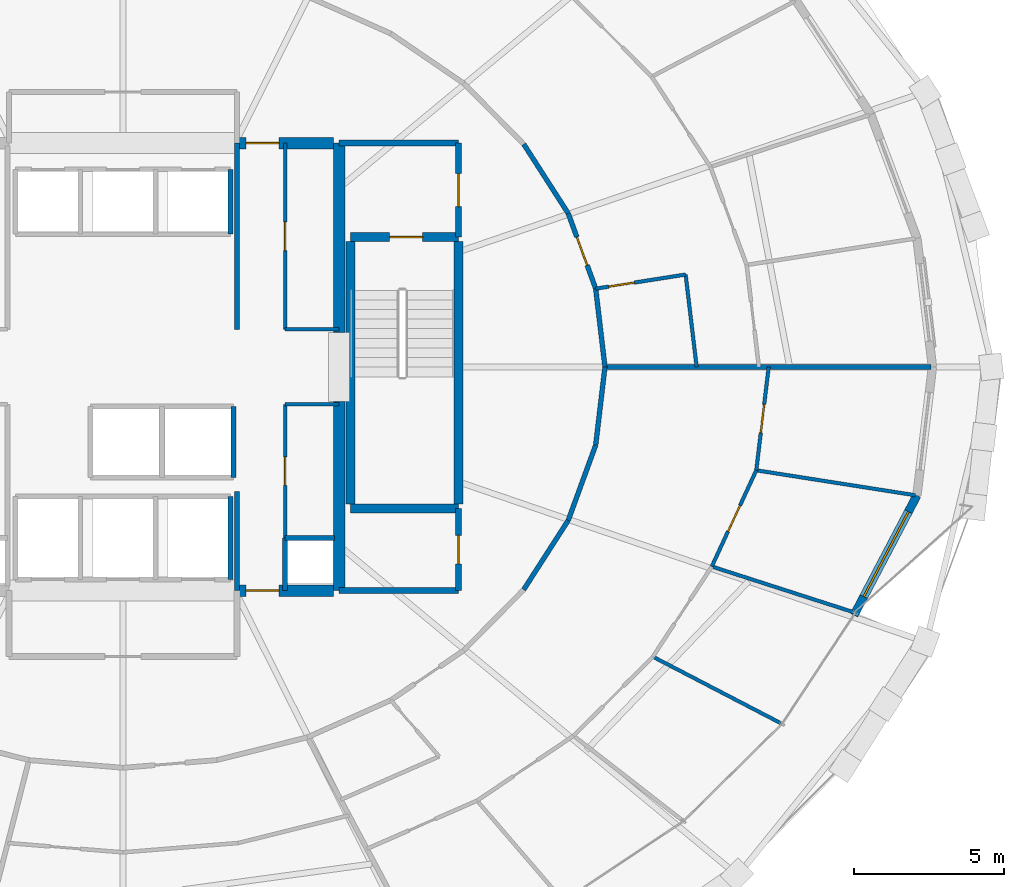
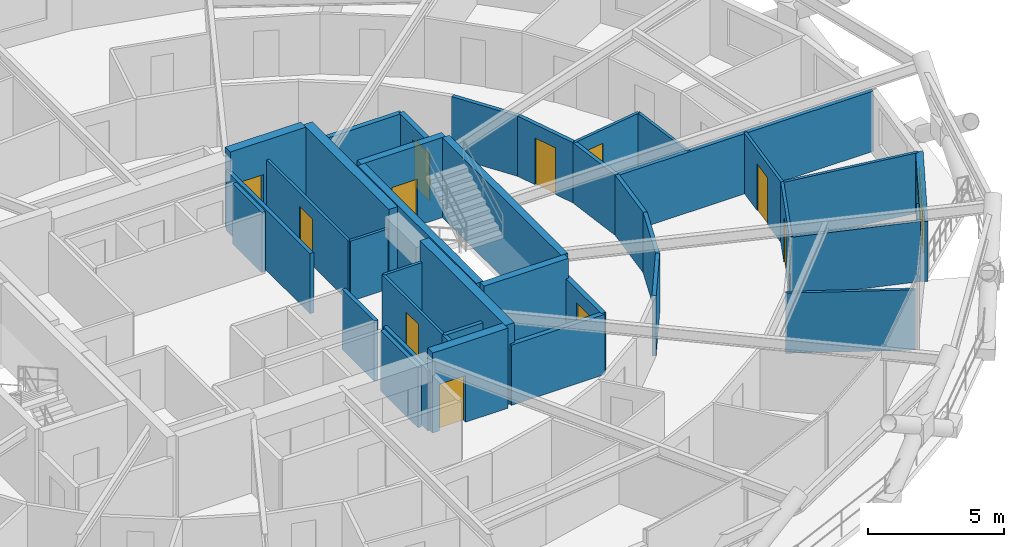
# One storey, part 15 of 19: 38 walls, 11 doors, 1 window, 12 openings.
"""IFC4 building model written with IfcOpenShell, lengths in metres."""

from ifc_helpers import new_model, si_unit, direction, frame, frame_2d, origin, place, context, subcontext, project, spatial, rectangle, extrude, material, layer, layer_set, type_object, element, fill, save


model = new_model("IFC4")

# Units and contexts
model_context = context("Model", 3, precision=1e-05, world=origin(), true_north=direction((0.0, 1.0)))
body_context = subcontext(model_context, "Body", "Model", "MODEL_VIEW")
ifc_project = project(units=[si_unit("LENGTHUNIT", "METRE"), si_unit("AREAUNIT", "SQUARE_METRE"), si_unit("VOLUMEUNIT", "CUBIC_METRE"), si_unit("PLANEANGLEUNIT", "RADIAN"), si_unit("MASSUNIT", "GRAM", prefix="KILO")], contexts=[model_context])

# Site, building, storey
site_placement = place(None, origin())
site = spatial("IfcSite", under=ifc_project, at=site_placement, CompositionType="ELEMENT")
building_placement = place(site_placement, origin())
building = spatial("IfcBuilding", under=site, at=building_placement, Name="Veldorina Hangang Commons", CompositionType="ELEMENT")
storey_placement = place(building_placement, frame((0.0, 0.0, 70.0)))
storey = spatial("IfcBuildingStorey", under=building, at=storey_placement, Name="L17", CompositionType="ELEMENT", Elevation=70.0)

# Walls
ifc_material_1 = material(Name="Concrete C70/85", Category="concrete")
ifc_layer_1 = layer(ifc_material_1, 0.3798828125)
ifc_layer_set_1 = layer_set([ifc_layer_1], Name="Concrete C70/85")
wall_type_1 = type_object("IfcWallType", Name="CW-RC380-C70", PredefinedType="SHEAR", material=ifc_layer_set_1)
for number, where, z_axis, x_axis, name in (
    (1, (39.199951171875, 16.550048828125, 0.0), (0.0, 0.0, 1.0), (0.0, 1.0, 0.0), "L17 E south core shear wall"),
    (2, (39.199951171875, 25.14990234375, 0.0), (0.0, 0.0, 1.0), (0.0, 1.0, 0.0), "L17 E north core shear wall"),
):
    element("IfcWall", number, at=place(storey_placement, frame(where, z_axis=z_axis, x_axis=x_axis)), inside=storey, type_object=wall_type_1, Name=name, PredefinedType="SHEAR", context=body_context, shape_type="SweptSolid", body=[
        extrude(rectangle(XDim=6.300048828125, YDim=0.3798828125, at=frame_2d((3.14990234375, 0.0))), origin(), (0.0, 0.0, 1.0), 3.60009765625),
    ])

# Wall, opening, door
wall_1_placement = place(storey_placement, frame((35.800048828125, 16.550048828125, 0.0), z_axis=(0.0, 0.0, 1.0), x_axis=(1.0, 0.0, 0.0)))
wall_1 = element("IfcWall", 3, at=wall_1_placement, inside=storey, type_object=wall_type_1, Name="L17 south-east core shear wall", PredefinedType="SHEAR", context=body_context, shape_type="SweptSolid", body=[
    extrude(rectangle(XDim=3.2099609375, YDim=0.3798828125, at=frame_2d((1.60498046875, 0.0))), origin(), (0.0, 0.0, 1.0), 3.60009765625),
])
opening_1_placement = place(wall_1_placement, frame((0.300048828125, 0.0, 0.0)))
opening_1 = element("IfcOpeningElement", 4, at=opening_1_placement, cuts=wall_1, Name="Opening D-08", PredefinedType="OPENING", context=body_context, shape_type="SweptSolid", body=[
    extrude(rectangle(XDim=1.10009765625, YDim=2.10009765625, at=frame_2d((0.550048828125, 1.050048828125))), frame((0.0, 0.199951171875, 0.0), z_axis=(0.0, -1.0, 0.0), x_axis=(1.0, 0.0, 0.0)), (0.0, 0.0, 1.0), 0.39990234375),
])
ifc_material_2 = material(Name="Steel Fire-Rated Smoke Seal", Category="steel")
door_type_1 = type_object("IfcDoorType", Name="DR-FIRE-1100", OperationType="SINGLE_SWING_RIGHT", PredefinedType="DOOR", material=ifc_material_2)
door_1_placement = place(opening_1_placement, origin())
door_1 = element("IfcDoor", 5, at=door_1_placement, inside=storey, type_object=door_type_1, Name="L17 central lift lobby south corridor door", OperationType="SINGLE_SWING_RIGHT", OverallHeight=2.10009765625, OverallWidth=1.10009765625, PredefinedType="DOOR", context=body_context, shape_type="SweptSolid", body=[
    extrude(rectangle(XDim=1.10009765625, YDim=2.10009765625, at=frame_2d((0.550048828125, 1.050048828125))), frame((0.0, 0.02490234375, 0.0), z_axis=(0.0, -1.0, 0.0), x_axis=(1.0, 0.0, 0.0)), (0.0, 0.0, 1.0), 0.050048828125),
])
fill(opening_1, door_1)

wall_2_placement = place(storey_placement, frame((35.800048828125, 31.449951171875, 0.0), z_axis=(0.0, 0.0, 1.0), x_axis=(1.0, 0.0, 0.0)))
wall_2 = element("IfcWall", 6, at=wall_2_placement, inside=storey, type_object=wall_type_1, Name="L17 north-east core shear wall", PredefinedType="SHEAR", context=body_context, shape_type="SweptSolid", body=[
    extrude(rectangle(XDim=3.2099609375, YDim=0.3798828125, at=frame_2d((1.60498046875, 0.0))), origin(), (0.0, 0.0, 1.0), 3.60009765625),
])
opening_2_placement = place(wall_2_placement, frame((0.300048828125, 0.0, 0.0)))
opening_2 = element("IfcOpeningElement", 7, at=opening_2_placement, cuts=wall_2, Name="Opening D-08", PredefinedType="OPENING", context=body_context, shape_type="SweptSolid", body=[
    extrude(rectangle(XDim=1.10009765625, YDim=2.10009765625, at=frame_2d((0.550048828125, 1.050048828125))), frame((0.0, 0.199951171875, 0.0), z_axis=(0.0, -1.0, 0.0), x_axis=(1.0, 0.0, 0.0)), (0.0, 0.0, 1.0), 0.39990234375),
])
door_2_placement = place(opening_2_placement, origin())
door_2 = element("IfcDoor", 8, at=door_2_placement, inside=storey, type_object=door_type_1, Name="L17 central lift lobby north corridor door", OperationType="SINGLE_SWING_LEFT", OverallHeight=2.10009765625, OverallWidth=1.10009765625, PredefinedType="DOOR", context=body_context, shape_type="SweptSolid", body=[
    extrude(rectangle(XDim=1.10009765625, YDim=2.10009765625, at=frame_2d((0.550048828125, 1.050048828125))), frame((0.0, 0.02490234375, 0.0), z_axis=(0.0, -1.0, 0.0), x_axis=(1.0, 0.0, 0.0)), (0.0, 0.0, 1.0), 0.050048828125),
])
fill(opening_2, door_2)

# Wall, opening, window
ifc_material_3 = material(Name="Stone Roman Travertine", Category="masonry")
ifc_layer_2 = layer(ifc_material_3, 0.280029296875)
ifc_layer_set_2 = layer_set([ifc_layer_2], Name="Stone Roman Travertine")
wall_type_2 = type_object("IfcWallType", Name="EW-TRAV-280", PredefinedType="STANDARD", material=ifc_layer_set_2)
wall_3_placement = place(storey_placement, frame((56.34375, 15.730712890625, 0.0), z_axis=(0.0, 0.0, 1.0), x_axis=(0.465125046943, 0.885244989088, 0.0)))
wall_3 = element("IfcWall", 9, at=wall_3_placement, inside=storey, type_object=wall_type_2, Name="L17 travertine facade wall 30", PredefinedType="STANDARD", context=body_context, shape_type="SweptSolid", body=[
    extrude(rectangle(XDim=4.50244140625, YDim=0.280029296875, at=frame_2d((2.251220703125, 0.0))), origin(), (0.0, 0.0, 1.0), 2.7099609375),
])
opening_3_placement = place(wall_3_placement, frame((0.697265625, 0.0, 0.800048828125)))
opening_3 = element("IfcOpeningElement", 10, at=opening_3_placement, cuts=wall_3, Name="Opening W-01", PredefinedType="OPENING", context=body_context, shape_type="SweptSolid", body=[
    extrude(rectangle(XDim=3.199951171875, YDim=1.64990234375, at=frame_2d((1.60009765625, 0.824951171875))), frame((0.0, 0.14990234375, 0.0), z_axis=(0.0, -1.0, 0.0), x_axis=(1.0, 0.0, 0.0)), (0.0, 0.0, 1.0), 0.300048828125),
])
ifc_material_4 = material(Name="Glass Low-E Triple IGU", Category="glass")
window_type = type_object("IfcWindowType", Name="WIN-TWR-3200", PartitioningType="SINGLE_PANEL", PredefinedType="WINDOW", material=ifc_material_4)
window_placement = place(opening_3_placement, origin())
window = element("IfcWindow", 11, at=window_placement, inside=storey, type_object=window_type, Name="L17 facade window 30", OverallHeight=1.64990234375, OverallWidth=3.199951171875, PartitioningType="SINGLE_PANEL", PredefinedType="WINDOW", context=body_context, shape_type="SweptSolid", body=[
    extrude(rectangle(XDim=3.199951171875, YDim=1.64990234375, at=frame_2d((1.60009765625, 0.824951171875))), frame((0.0, 0.030029296875, 0.0), z_axis=(0.0, -1.0, 0.0), x_axis=(1.0, 0.0, 0.0)), (0.0, 0.0, 1.0), 0.06005859375),
])
fill(opening_3, window)

# Walls
ifc_material_5 = material(Name="Concrete C50/60", Category="concrete")
ifc_layer_3 = layer(ifc_material_5, 0.300048828125)
ifc_layer_set_3 = layer_set([ifc_layer_3], Name="Concrete C50/60")
wall_type_3 = type_object("IfcWallType", Name="SW-STAIR-300", PredefinedType="SHEAR", material=ifc_layer_set_3)
for number, where, z_axis, x_axis, name in (
    (12, (43.179931640625, 19.429931640625, 0.0), (0.0, 0.0, 1.0), (0.0, 1.0, 0.0), "L17 ST2 outer stair shear wall"),
    (13, (39.580078125, 19.429931640625, 0.0), (0.0, 0.0, 1.0), (0.0, 1.0, 0.0), "L17 ST2 inner stair shear wall"),
):
    element("IfcWall", number, at=place(storey_placement, frame(where, z_axis=z_axis, x_axis=x_axis)), inside=storey, type_object=wall_type_3, Name=name, PredefinedType="SHEAR", context=body_context, shape_type="SweptSolid", body=[
        extrude(rectangle(XDim=8.739990234375, YDim=0.300048828125, at=frame_2d((4.3701171875, 0.0))), origin(), (0.0, 0.0, 1.0), 3.60009765625),
    ])
wall_4_placement = place(storey_placement, frame((39.580078125, 19.280029296875, 0.0), z_axis=(0.0, 0.0, 1.0), x_axis=(1.0, 0.0, 0.0)))
element("IfcWall", 14, at=wall_4_placement, inside=storey, type_object=wall_type_3, Name="L17 ST2 south stair shear wall", PredefinedType="SHEAR", context=body_context, shape_type="SweptSolid", body=[
    extrude(rectangle(XDim=3.599853515625, YDim=0.300048828125, at=frame_2d((1.7998046875, 0.0))), origin(), (0.0, 0.0, 1.0), 3.60009765625),
])

# Wall, opening, door
wall_5_placement = place(storey_placement, frame((39.580078125, 28.320068359375, 0.0), z_axis=(0.0, 0.0, 1.0), x_axis=(1.0, 0.0, 0.0)))
wall_5 = element("IfcWall", 15, at=wall_5_placement, inside=storey, type_object=wall_type_3, Name="L17 ST2 north stair shear wall", PredefinedType="SHEAR", context=body_context, shape_type="SweptSolid", body=[
    extrude(rectangle(XDim=3.599853515625, YDim=0.300048828125, at=frame_2d((1.7998046875, 0.0))), origin(), (0.0, 0.0, 1.0), 3.60009765625),
])
opening_4_placement = place(wall_5_placement, frame((1.300048828125, 0.0, 0.0)))
opening_4 = element("IfcOpeningElement", 16, at=opening_4_placement, cuts=wall_5, Name="Opening D-08", PredefinedType="OPENING", context=body_context, shape_type="SweptSolid", body=[
    extrude(rectangle(XDim=1.10009765625, YDim=2.10009765625, at=frame_2d((0.550048828125, 1.050048828125))), frame((0.0, 0.16015625, 0.0), z_axis=(0.0, -1.0, 0.0), x_axis=(1.0, 0.0, 0.0)), (0.0, 0.0, 1.0), 0.320068359375),
])
door_3_placement = place(opening_4_placement, origin())
door_3 = element("IfcDoor", 17, at=door_3_placement, inside=storey, type_object=door_type_1, Name="L17 Special Escape Stair ST-2 door", OperationType="SINGLE_SWING_RIGHT", OverallHeight=2.10009765625, OverallWidth=1.10009765625, PredefinedType="DOOR", context=body_context, shape_type="SweptSolid", body=[
    extrude(rectangle(XDim=1.10009765625, YDim=2.10009765625, at=frame_2d((0.550048828125, 1.050048828125))), frame((0.0, 0.02490234375, 0.0), z_axis=(0.0, -1.0, 0.0), x_axis=(1.0, 0.0, 0.0)), (0.0, 0.0, 1.0), 0.050048828125),
])
fill(opening_4, door_3)

# Walls
ifc_material_6 = material(Name="Gypsum Fire-Rated Twin Stud Wall", Category="gypsum")
ifc_layer_4 = layer(ifc_material_6, 0.159912109375)
ifc_layer_set_4 = layer_set([ifc_layer_4], Name="Gypsum Fire-Rated Twin Stud Wall")
wall_type_4 = type_object("IfcWallType", Name="WL-FIRE-160", PredefinedType="SOLIDWALL", material=ifc_layer_set_4)
wall_6_placement = place(storey_placement, frame((35.800048828125, 16.550048828125, 0.0), z_axis=(0.0, 0.0, 1.0), x_axis=(0.0, 1.0, 0.0)))
element("IfcWall", 18, at=wall_6_placement, inside=storey, type_object=wall_type_4, Name="L17 Lift passage SW wall 009", PredefinedType="SOLIDWALL", context=body_context, shape_type="SweptSolid", body=[
    extrude(rectangle(XDim=3.300048828125, YDim=0.159912109375, at=frame_2d((1.64990234375, 0.0))), origin(), (0.0, 0.0, 1.0), 2.7099609375),
])
wall_7_placement = place(storey_placement, frame((37.39990234375, 16.550048828125, 0.0), z_axis=(0.0, 0.0, 1.0), x_axis=(0.0, 1.0, 0.0)))
element("IfcWall", 19, at=wall_7_placement, inside=storey, type_object=wall_type_4, Name="L17 Lift passage SE stub 010", PredefinedType="SOLIDWALL", context=body_context, shape_type="SweptSolid", body=[
    extrude(rectangle(XDim=1.75, YDim=0.159912109375, at=frame_2d((0.875, 0.0))), origin(), (0.0, 0.0, 1.0), 2.7099609375),
])
wall_8_placement = place(storey_placement, frame((35.800048828125, 25.25, 0.0), z_axis=(0.0, 0.0, 1.0), x_axis=(0.0, 1.0, 0.0)))
element("IfcWall", 20, at=wall_8_placement, inside=storey, type_object=wall_type_4, Name="L17 Lift passage NW wall 011", PredefinedType="SOLIDWALL", context=body_context, shape_type="SweptSolid", body=[
    extrude(rectangle(XDim=6.199951171875, YDim=0.159912109375, at=frame_2d((3.10009765625, 0.0))), origin(), (0.0, 0.0, 1.0), 2.7099609375),
])
wall_9_placement = place(storey_placement, frame((35.580078125, 28.419921875, 0.0), z_axis=(0.0, 0.0, 1.0), x_axis=(0.0, 1.0, 0.0)))
element("IfcWall", 21, at=wall_9_placement, inside=storey, type_object=wall_type_4, Name="L17 PL-L3 east shaft wall 020", PredefinedType="SOLIDWALL", context=body_context, shape_type="SweptSolid", body=[
    extrude(rectangle(XDim=2.16015625, YDim=0.159912109375, at=frame_2d((1.080078125, 0.0))), origin(), (0.0, 0.0, 1.0), 2.7099609375),
])
wall_10_placement = place(storey_placement, frame((35.679931640625, 20.320068359375, 0.0), z_axis=(0.0, 0.0, 1.0), x_axis=(0.0, 1.0, 0.0)))
element("IfcWall", 22, at=wall_10_placement, inside=storey, type_object=wall_type_4, Name="L17 SL-2 east shaft wall 025", PredefinedType="SOLIDWALL", context=body_context, shape_type="SweptSolid", body=[
    extrude(rectangle(XDim=2.35986328125, YDim=0.159912109375, at=frame_2d((1.179931640625, 0.0))), origin(), (0.0, 0.0, 1.0), 2.7099609375),
])
wall_11_placement = place(storey_placement, frame((35.580078125, 16.919921875, 0.0), z_axis=(0.0, 0.0, 1.0), x_axis=(0.0, 1.0, 0.0)))
element("IfcWall", 23, at=wall_11_placement, inside=storey, type_object=wall_type_4, Name="L17 EVL-1 east shaft wall 031", PredefinedType="SOLIDWALL", context=body_context, shape_type="SweptSolid", body=[
    extrude(rectangle(XDim=2.760009765625, YDim=0.159912109375, at=frame_2d((1.3798828125, 0.0))), origin(), (0.0, 0.0, 1.0), 2.7099609375),
])
wall_12_placement = place(storey_placement, frame((37.39990234375, 18.300048828125, 0.0), z_axis=(0.0, 0.0, 1.0), x_axis=(1.0, 0.0, 0.0)))
element("IfcWall", 24, at=wall_12_placement, inside=storey, type_object=wall_type_4, Name="L17 Plumbing riser wall 037", PredefinedType="SOLIDWALL", context=body_context, shape_type="SweptSolid", body=[
    extrude(rectangle(XDim=1.650146484375, YDim=0.159912109375, at=frame_2d((0.8251953125, 0.0))), origin(), (0.0, 0.0, 1.0), 2.7099609375),
])
wall_13_placement = place(storey_placement, frame((48.050048828125, 24.0, 0.0), z_axis=(0.0, 0.0, 1.0), x_axis=(-0.117570353762, 0.993064555765, 0.0)))
element("IfcWall", 25, at=wall_13_placement, inside=storey, type_object=wall_type_4, Name="L17 Corridor outer wall 00 045", PredefinedType="SOLIDWALL", context=body_context, shape_type="SweptSolid", body=[
    extrude(rectangle(XDim=2.622802734375, YDim=0.159912109375, at=frame_2d((1.3115234375, 0.0))), origin(), (0.0, 0.0, 1.0), 2.7099609375),
])

# Wall, opening, door
wall_14_placement = place(storey_placement, frame((47.74169921875, 26.6044921875, 0.0), z_axis=(0.0, 0.0, 1.0), x_axis=(-0.342617982381, 0.939474809747, 0.0)))
wall_14 = element("IfcWall", 26, at=wall_14_placement, inside=storey, type_object=wall_type_4, Name="L17 Corridor outer wall 01 046", PredefinedType="SOLIDWALL", context=body_context, shape_type="SweptSolid", body=[
    extrude(rectangle(XDim=2.665771484375, YDim=0.159912109375, at=frame_2d((1.3330078125, 0.0))), origin(), (0.0, 0.0, 1.0), 2.7099609375),
])
opening_5_placement = place(wall_14_placement, frame((0.832763671875, 0.0, 0.0)))
opening_5 = element("IfcOpeningElement", 27, at=opening_5_placement, cuts=wall_14, Name="Opening D-06", PredefinedType="OPENING", context=body_context, shape_type="SweptSolid", body=[
    extrude(rectangle(XDim=1.0, YDim=2.10009765625, at=frame_2d((0.5, 1.050048828125))), frame((0.0, 0.08984375, 0.0), z_axis=(0.0, -1.0, 0.0), x_axis=(1.0, 0.0, 0.0)), (0.0, 0.0, 1.0), 0.179931640625),
])
ifc_material_7 = material(Name="Timber Fire-Rated Entrance Core", Category="wood")
door_type_2 = type_object("IfcDoorType", Name="DR-UNIT-1000", OperationType="SINGLE_SWING_LEFT", PredefinedType="DOOR", material=ifc_material_7)
door_4_placement = place(opening_5_placement, origin())
door_4 = element("IfcDoor", 28, at=door_4_placement, inside=storey, type_object=door_type_2, Name="L17 Cluster 3 entrance door 028", OperationType="SINGLE_SWING_RIGHT", OverallHeight=2.10009765625, OverallWidth=1.0, PredefinedType="DOOR", context=body_context, shape_type="SweptSolid", body=[
    extrude(rectangle(XDim=1.0, YDim=2.10009765625, at=frame_2d((0.5, 1.050048828125))), frame((0.0, 0.02490234375, 0.0), z_axis=(0.0, -1.0, 0.0), x_axis=(1.0, 0.0, 0.0)), (0.0, 0.0, 1.0), 0.050048828125),
])
fill(opening_5, door_4)

# Walls
for number, where, z_axis, x_axis, name in (
    (29, (46.828369140625, 29.10888671875, 0.0), (0.0, 0.0, 1.0), (-0.540595670038, 0.841282545603, 0.0), "L17 Corridor outer wall 02 047"),
    (30, (45.34521484375, 16.5830078125, 0.0), (0.0, 0.0, 1.0), (0.540595670038, 0.841282545603, 0.0), "L17 Corridor outer wall 29 074"),
):
    element("IfcWall", number, at=place(storey_placement, frame(where, z_axis=z_axis, x_axis=x_axis)), inside=storey, type_object=wall_type_4, Name=name, PredefinedType="SOLIDWALL", context=body_context, shape_type="SweptSolid", body=[
        extrude(rectangle(XDim=2.74365234375, YDim=0.159912109375, at=frame_2d((1.371826171875, 0.0))), origin(), (0.0, 0.0, 1.0), 2.7099609375),
    ])
wall_15_placement = place(storey_placement, frame((46.828369140625, 18.89111328125, 0.0), z_axis=(0.0, 0.0, 1.0), x_axis=(0.342617982381, 0.939474809747, 0.0)))
element("IfcWall", 31, at=wall_15_placement, inside=storey, type_object=wall_type_4, Name="L17 Corridor outer wall 30 075", PredefinedType="SOLIDWALL", context=body_context, shape_type="SweptSolid", body=[
    extrude(rectangle(XDim=2.665771484375, YDim=0.159912109375, at=frame_2d((1.3330078125, 0.0))), origin(), (0.0, 0.0, 1.0), 2.7099609375),
])
wall_16_placement = place(storey_placement, frame((47.74169921875, 21.3955078125, 0.0), z_axis=(0.0, 0.0, 1.0), x_axis=(0.117570353762, 0.993064555765, 0.0)))
element("IfcWall", 32, at=wall_16_placement, inside=storey, type_object=wall_type_4, Name="L17 Corridor outer wall 31 076", PredefinedType="SOLIDWALL", context=body_context, shape_type="SweptSolid", body=[
    extrude(rectangle(XDim=2.622802734375, YDim=0.159912109375, at=frame_2d((1.3115234375, 0.0))), origin(), (0.0, 0.0, 1.0), 2.7099609375),
])
wall_17_placement = place(storey_placement, frame((48.050048828125, 24.0, 0.0), z_axis=(0.0, 0.0, 1.0), x_axis=(1.0, 0.0, 0.0)))
element("IfcWall", 33, at=wall_17_placement, inside=storey, type_object=wall_type_4, Name="L17 Unit party wall 00 095", PredefinedType="SOLIDWALL", context=body_context, shape_type="SweptSolid", body=[
    extrude(rectangle(XDim=10.855712890625, YDim=0.159912109375, at=frame_2d((5.427734375, 0.0))), origin(), (0.0, 0.0, 1.0), 2.7099609375),
])

# Wall, opening, door
ifc_material_8 = material(Name="Concrete Blockwork Fire Wall C30/37", Category="masonry")
ifc_layer_5 = layer(ifc_material_8, 0.199951171875)
ifc_layer_set_5 = layer_set([ifc_layer_5], Name="Concrete Blockwork Fire Wall C30/37")
wall_type_5 = type_object("IfcWallType", Name="WL-FIRE-200", PredefinedType="SOLIDWALL", material=ifc_layer_set_5)
wall_18_placement = place(storey_placement, frame((43.179931640625, 28.320068359375, 0.0), z_axis=(0.0, 0.0, 1.0), x_axis=(0.0, 1.0, 0.0)))
wall_18 = element("IfcWall", 34, at=wall_18_placement, inside=storey, type_object=wall_type_5, Name="L17 East vestibule outer wall 003", PredefinedType="SOLIDWALL", context=body_context, shape_type="SweptSolid", body=[
    extrude(rectangle(XDim=3.1298828125, YDim=0.199951171875, at=frame_2d((1.56494140625, 0.0))), origin(), (0.0, 0.0, 1.0), 2.7099609375),
])
opening_6_placement = place(wall_18_placement, frame((1.014892578125, 0.0, 0.0)))
opening_6 = element("IfcOpeningElement", 35, at=opening_6_placement, cuts=wall_18, Name="Opening D-08", PredefinedType="OPENING", context=body_context, shape_type="SweptSolid", body=[
    extrude(rectangle(XDim=1.10009765625, YDim=2.10009765625, at=frame_2d((0.550048828125, 1.050048828125))), frame((0.0, 0.10986328125, 0.0), z_axis=(0.0, -1.0, 0.0), x_axis=(1.0, 0.0, 0.0)), (0.0, 0.0, 1.0), 0.219970703125),
])
door_5_placement = place(opening_6_placement, origin())
door_5 = element("IfcDoor", 36, at=door_5_placement, inside=storey, type_object=door_type_1, Name="L17 East vestibule east door 002", OperationType="SINGLE_SWING_RIGHT", OverallHeight=2.10009765625, OverallWidth=1.10009765625, PredefinedType="DOOR", context=body_context, shape_type="SweptSolid", body=[
    extrude(rectangle(XDim=1.10009765625, YDim=2.10009765625, at=frame_2d((0.550048828125, 1.050048828125))), frame((0.0, 0.02490234375, 0.0), z_axis=(0.0, -1.0, 0.0), x_axis=(1.0, 0.0, 0.0)), (0.0, 0.0, 1.0), 0.050048828125),
])
fill(opening_6, door_5)

# Wall
wall_19_placement = place(storey_placement, frame((39.199951171875, 31.449951171875, 0.0), z_axis=(0.0, 0.0, 1.0), x_axis=(1.0, 0.0, 0.0)))
element("IfcWall", 37, at=wall_19_placement, inside=storey, type_object=wall_type_5, Name="L17 East vestibule north wall 004", PredefinedType="SOLIDWALL", context=body_context, shape_type="SweptSolid", body=[
    extrude(rectangle(XDim=3.97998046875, YDim=0.199951171875, at=frame_2d((1.989990234375, 0.0))), origin(), (0.0, 0.0, 1.0), 2.7099609375),
])

# Wall, opening, door
wall_20_placement = place(storey_placement, frame((43.179931640625, 16.550048828125, 0.0), z_axis=(0.0, 0.0, 1.0), x_axis=(0.0, 1.0, 0.0)))
wall_20 = element("IfcWall", 38, at=wall_20_placement, inside=storey, type_object=wall_type_5, Name="L17 SE core room outer wall 007", PredefinedType="SOLIDWALL", context=body_context, shape_type="SweptSolid", body=[
    extrude(rectangle(XDim=2.72998046875, YDim=0.199951171875, at=frame_2d((1.364990234375, 0.0))), origin(), (0.0, 0.0, 1.0), 2.7099609375),
])
opening_7_placement = place(wall_20_placement, frame((0.889892578125, 0.0, 0.0)))
opening_7 = element("IfcOpeningElement", 39, at=opening_7_placement, cuts=wall_20, Name="Opening D-02", PredefinedType="OPENING", context=body_context, shape_type="SweptSolid", body=[
    extrude(rectangle(XDim=0.949951171875, YDim=2.10009765625, at=frame_2d((0.47509765625, 1.050048828125))), frame((0.0, 0.10986328125, 0.0), z_axis=(0.0, -1.0, 0.0), x_axis=(1.0, 0.0, 0.0)), (0.0, 0.0, 1.0), 0.219970703125),
])
ifc_material_9 = material(Name="Timber Solid Core Acoustic", Category="wood")
door_type_3 = type_object("IfcDoorType", Name="DR-INT-950", OperationType="SINGLE_SWING_LEFT", PredefinedType="DOOR", material=ifc_material_9)
door_6_placement = place(opening_7_placement, origin())
door_6 = element("IfcDoor", 40, at=door_6_placement, inside=storey, type_object=door_type_3, Name="L17 SE core WC door 004", OperationType="SINGLE_SWING_RIGHT", OverallHeight=2.10009765625, OverallWidth=0.949951171875, PredefinedType="DOOR", context=body_context, shape_type="SweptSolid", body=[
    extrude(rectangle(XDim=0.949951171875, YDim=2.10009765625, at=frame_2d((0.47509765625, 1.050048828125))), frame((0.0, 0.02490234375, 0.0), z_axis=(0.0, -1.0, 0.0), x_axis=(1.0, 0.0, 0.0)), (0.0, 0.0, 1.0), 0.050048828125),
])
fill(opening_7, door_6)

# Wall
wall_21_placement = place(storey_placement, frame((39.199951171875, 16.550048828125, 0.0), z_axis=(0.0, 0.0, 1.0), x_axis=(1.0, 0.0, 0.0)))
element("IfcWall", 41, at=wall_21_placement, inside=storey, type_object=wall_type_5, Name="L17 SE core room south wall 008", PredefinedType="SOLIDWALL", context=body_context, shape_type="SweptSolid", body=[
    extrude(rectangle(XDim=3.97998046875, YDim=0.199951171875, at=frame_2d((1.989990234375, 0.0))), origin(), (0.0, 0.0, 1.0), 2.7099609375),
])

# Wall, opening, door
ifc_material_10 = material(Name="Gypsum Acoustic Stud Partition", Category="gypsum")
ifc_layer_6 = layer(ifc_material_10, 0.1201171875)
ifc_layer_set_6 = layer_set([ifc_layer_6], Name="Gypsum Acoustic Stud Partition")
wall_type_6 = type_object("IfcWallType", Name="WL-PART-120", PredefinedType="PARTITIONING", material=ifc_layer_set_6)
wall_22_placement = place(storey_placement, frame((37.39990234375, 25.25, 0.0), z_axis=(0.0, 0.0, 1.0), x_axis=(0.0, 1.0, 0.0)))
wall_22 = element("IfcWall", 42, at=wall_22_placement, inside=storey, type_object=wall_type_6, Name="L17 NE strip lobby wall 041", PredefinedType="PARTITIONING", context=body_context, shape_type="SweptSolid", body=[
    extrude(rectangle(XDim=6.199951171875, YDim=0.1201171875, at=frame_2d((3.10009765625, 0.0))), origin(), (0.0, 0.0, 1.0), 2.7099609375),
])
opening_8_placement = place(wall_22_placement, frame((2.625, 0.0, 0.0)))
opening_8 = element("IfcOpeningElement", 43, at=opening_8_placement, cuts=wall_22, Name="Opening D-02", PredefinedType="OPENING", context=body_context, shape_type="SweptSolid", body=[
    extrude(rectangle(XDim=0.949951171875, YDim=2.10009765625, at=frame_2d((0.47509765625, 1.050048828125))), frame((0.0, 0.070068359375, 0.0), z_axis=(0.0, -1.0, 0.0), x_axis=(1.0, 0.0, 0.0)), (0.0, 0.0, 1.0), 0.14013671875),
])
door_7_placement = place(opening_8_placement, origin())
door_7 = element("IfcDoor", 44, at=door_7_placement, inside=storey, type_object=door_type_3, Name="L17 Comms room door 015", OperationType="SINGLE_SWING_LEFT", OverallHeight=2.10009765625, OverallWidth=0.949951171875, PredefinedType="DOOR", context=body_context, shape_type="SweptSolid", body=[
    extrude(rectangle(XDim=0.949951171875, YDim=2.10009765625, at=frame_2d((0.47509765625, 1.050048828125))), frame((0.0, 0.02490234375, 0.0), z_axis=(0.0, -1.0, 0.0), x_axis=(1.0, 0.0, 0.0)), (0.0, 0.0, 1.0), 0.050048828125),
])
fill(opening_8, door_7)

# Wall
wall_23_placement = place(storey_placement, frame((37.39990234375, 25.25, 0.0), z_axis=(0.0, 0.0, 1.0), x_axis=(1.0, 0.0, 0.0)))
element("IfcWall", 45, at=wall_23_placement, inside=storey, type_object=wall_type_6, Name="L17 NE strip south return wall 042", PredefinedType="PARTITIONING", context=body_context, shape_type="SweptSolid", body=[
    extrude(rectangle(XDim=1.800048828125, YDim=0.1201171875, at=frame_2d((0.89990234375, 0.0))), origin(), (0.0, 0.0, 1.0), 2.7099609375),
])

# Wall, opening, door
wall_24_placement = place(storey_placement, frame((37.39990234375, 18.300048828125, 0.0), z_axis=(0.0, 0.0, 1.0), x_axis=(0.0, 1.0, 0.0)))
wall_24 = element("IfcWall", 46, at=wall_24_placement, inside=storey, type_object=wall_type_6, Name="L17 SE strip lobby wall 043", PredefinedType="PARTITIONING", context=body_context, shape_type="SweptSolid", body=[
    extrude(rectangle(XDim=4.449951171875, YDim=0.1201171875, at=frame_2d((2.22509765625, 0.0))), origin(), (0.0, 0.0, 1.0), 2.7099609375),
])
opening_9_placement = place(wall_24_placement, frame((1.75, 0.0, 0.0)))
opening_9 = element("IfcOpeningElement", 47, at=opening_9_placement, cuts=wall_24, Name="Opening D-02", PredefinedType="OPENING", context=body_context, shape_type="SweptSolid", body=[
    extrude(rectangle(XDim=0.949951171875, YDim=2.10009765625, at=frame_2d((0.47509765625, 1.050048828125))), frame((0.0, 0.070068359375, 0.0), z_axis=(0.0, -1.0, 0.0), x_axis=(1.0, 0.0, 0.0)), (0.0, 0.0, 1.0), 0.14013671875),
])
door_8_placement = place(opening_9_placement, origin())
door_8 = element("IfcDoor", 48, at=door_8_placement, inside=storey, type_object=door_type_3, Name="L17 BMS closet door 016", OperationType="SINGLE_SWING_RIGHT", OverallHeight=2.10009765625, OverallWidth=0.949951171875, PredefinedType="DOOR", context=body_context, shape_type="SweptSolid", body=[
    extrude(rectangle(XDim=0.949951171875, YDim=2.10009765625, at=frame_2d((0.47509765625, 1.050048828125))), frame((0.0, 0.02490234375, 0.0), z_axis=(0.0, -1.0, 0.0), x_axis=(1.0, 0.0, 0.0)), (0.0, 0.0, 1.0), 0.050048828125),
])
fill(opening_9, door_8)

# Walls
wall_25_placement = place(storey_placement, frame((37.39990234375, 22.75, 0.0), z_axis=(0.0, 0.0, 1.0), x_axis=(1.0, 0.0, 0.0)))
element("IfcWall", 49, at=wall_25_placement, inside=storey, type_object=wall_type_6, Name="L17 SE strip north return wall 044", PredefinedType="PARTITIONING", context=body_context, shape_type="SweptSolid", body=[
    extrude(rectangle(XDim=1.800048828125, YDim=0.1201171875, at=frame_2d((0.89990234375, 0.0))), origin(), (0.0, 0.0, 1.0), 2.7099609375),
])
wall_26_placement = place(storey_placement, frame((49.646240234375, 14.34814453125, 0.0), z_axis=(0.0, 0.0, 1.0), x_axis=(0.887345925729, -0.461104335366, 0.0)))
element("IfcWall", 50, at=wall_26_placement, inside=storey, type_object=wall_type_6, Name="L17 Cluster 2 bed divider 3 090", PredefinedType="PARTITIONING", context=body_context, shape_type="SweptSolid", body=[
    extrude(rectangle(XDim=4.796875, YDim=0.1201171875, at=frame_2d((2.3984375, 0.0))), origin(), (0.0, 0.0, 1.0), 2.7099609375),
])

# Wall, opening, door
wall_27_placement = place(storey_placement, frame((51.607421875, 17.351806640625, 0.0), z_axis=(0.0, 0.0, 1.0), x_axis=(0.419843020064, 0.907596737821, 0.0)))
wall_27 = element("IfcWall", 51, at=wall_27_placement, inside=storey, type_object=wall_type_6, Name="L17 Cluster 2 bed 5 front wall 091", PredefinedType="PARTITIONING", context=body_context, shape_type="SweptSolid", body=[
    extrude(rectangle(XDim=3.5302734375, YDim=0.1201171875, at=frame_2d((1.76513671875, 0.0))), origin(), (0.0, 0.0, 1.0), 2.7099609375),
])
opening_10_placement = place(wall_27_placement, frame((1.290283203125, 0.0, 0.0)))
opening_10 = element("IfcOpeningElement", 52, at=opening_10_placement, cuts=wall_27, Name="Opening D-02", PredefinedType="OPENING", context=body_context, shape_type="SweptSolid", body=[
    extrude(rectangle(XDim=0.949951171875, YDim=2.10009765625, at=frame_2d((0.47509765625, 1.050048828125))), frame((0.0, 0.070068359375, 0.0), z_axis=(0.0, -1.0, 0.0), x_axis=(1.0, 0.0, 0.0)), (0.0, 0.0, 1.0), 0.14013671875),
])
door_9_placement = place(opening_10_placement, origin())
door_9 = element("IfcDoor", 53, at=door_9_placement, inside=storey, type_object=door_type_3, Name="L17 Cluster 2 bed 5 door 025", OperationType="SINGLE_SWING_LEFT", OverallHeight=2.10009765625, OverallWidth=0.949951171875, PredefinedType="DOOR", context=body_context, shape_type="SweptSolid", body=[
    extrude(rectangle(XDim=0.949951171875, YDim=2.10009765625, at=frame_2d((0.47509765625, 1.050048828125))), frame((0.0, 0.02490234375, 0.0), z_axis=(0.0, -1.0, 0.0), x_axis=(1.0, 0.0, 0.0)), (0.0, 0.0, 1.0), 0.050048828125),
])
fill(opening_10, door_9)

# Wall
wall_28_placement = place(storey_placement, frame((51.607421875, 17.351806640625, 0.0), z_axis=(0.0, 0.0, 1.0), x_axis=(0.951817801274, -0.306664104807, 0.0)))
element("IfcWall", 54, at=wall_28_placement, inside=storey, type_object=wall_type_6, Name="L17 Cluster 2 bed divider 4 092", PredefinedType="PARTITIONING", context=body_context, shape_type="SweptSolid", body=[
    extrude(rectangle(XDim=4.970947265625, YDim=0.1201171875, at=frame_2d((2.4853515625, 0.0))), origin(), (0.0, 0.0, 1.0), 2.7099609375),
])

# Wall, opening, door
wall_29_placement = place(storey_placement, frame((53.089599609375, 20.555908203125, 0.0), z_axis=(0.0, 0.0, 1.0), x_axis=(0.119156321835, 0.992875506278, 0.0)))
wall_29 = element("IfcWall", 55, at=wall_29_placement, inside=storey, type_object=wall_type_6, Name="L17 Cluster 2 bed 6 front wall 093", PredefinedType="PARTITIONING", context=body_context, shape_type="SweptSolid", body=[
    extrude(rectangle(XDim=3.46875, YDim=0.1201171875, at=frame_2d((1.734375, 0.0))), origin(), (0.0, 0.0, 1.0), 2.7099609375),
])
opening_11_placement = place(wall_29_placement, frame((1.25927734375, 0.0, 0.0)))
opening_11 = element("IfcOpeningElement", 56, at=opening_11_placement, cuts=wall_29, Name="Opening D-02", PredefinedType="OPENING", context=body_context, shape_type="SweptSolid", body=[
    extrude(rectangle(XDim=0.949951171875, YDim=2.10009765625, at=frame_2d((0.47509765625, 1.050048828125))), frame((0.0, 0.070068359375, 0.0), z_axis=(0.0, -1.0, 0.0), x_axis=(1.0, 0.0, 0.0)), (0.0, 0.0, 1.0), 0.14013671875),
])
door_10_placement = place(opening_11_placement, origin())
door_10 = element("IfcDoor", 57, at=door_10_placement, inside=storey, type_object=door_type_3, Name="L17 Cluster 2 bed 6 door 026", OperationType="SINGLE_SWING_RIGHT", OverallHeight=2.10009765625, OverallWidth=0.949951171875, PredefinedType="DOOR", context=body_context, shape_type="SweptSolid", body=[
    extrude(rectangle(XDim=0.949951171875, YDim=2.10009765625, at=frame_2d((0.47509765625, 1.050048828125))), frame((0.0, 0.02490234375, 0.0), z_axis=(0.0, -1.0, 0.0), x_axis=(1.0, 0.0, 0.0)), (0.0, 0.0, 1.0), 0.050048828125),
])
fill(opening_11, door_10)

# Walls
wall_30_placement = place(storey_placement, frame((53.089599609375, 20.555908203125, 0.0), z_axis=(0.0, 0.0, 1.0), x_axis=(0.987909413105, -0.155032227287, 0.0)))
element("IfcWall", 58, at=wall_30_placement, inside=storey, type_object=wall_type_6, Name="L17 Cluster 2 bed divider 5 094", PredefinedType="PARTITIONING", context=body_context, shape_type="SweptSolid", body=[
    extrude(rectangle(XDim=5.36376953125, YDim=0.1201171875, at=frame_2d((2.681884765625, 0.0))), origin(), (0.0, 0.0, 1.0), 2.7099609375),
])
wall_31_placement = place(storey_placement, frame((51.103515625, 24.0, 0.0), z_axis=(0.0, 0.0, 1.0), x_axis=(-0.118501639397, 0.992953856662, 0.0)))
element("IfcWall", 59, at=wall_31_placement, inside=storey, type_object=wall_type_6, Name="L17 Cluster 3 bath front wall 096", PredefinedType="PARTITIONING", context=body_context, shape_type="SweptSolid", body=[
    extrude(rectangle(XDim=3.096435546875, YDim=0.1201171875, at=frame_2d((1.54833984375, 0.0))), origin(), (0.0, 0.0, 1.0), 2.7099609375),
])

# Wall, opening, door
wall_32_placement = place(storey_placement, frame((47.74169921875, 26.6044921875, 0.0), z_axis=(0.0, 0.0, 1.0), x_axis=(0.987897759155, 0.155106471357, 0.0)))
wall_32 = element("IfcWall", 60, at=wall_32_placement, inside=storey, type_object=wall_type_6, Name="L17 Cluster 3 bath side wall 097", PredefinedType="PARTITIONING", context=body_context, shape_type="SweptSolid", body=[
    extrude(rectangle(XDim=3.031494140625, YDim=0.1201171875, at=frame_2d((1.515625, 0.0))), origin(), (0.0, 0.0, 1.0), 2.7099609375),
])
opening_12_placement = place(wall_32_placement, frame((0.43994140625, 0.0, 0.0)))
opening_12 = element("IfcOpeningElement", 61, at=opening_12_placement, cuts=wall_32, Name="Opening D-01", PredefinedType="OPENING", context=body_context, shape_type="SweptSolid", body=[
    extrude(rectangle(XDim=0.860107421875, YDim=2.10009765625, at=frame_2d((0.43017578125, 1.050048828125))), frame((0.0, 0.070068359375, 0.0), z_axis=(0.0, -1.0, 0.0), x_axis=(1.0, 0.0, 0.0)), (0.0, 0.0, 1.0), 0.14013671875),
])
ifc_material_11 = material(Name="Timber Moisture-Resistant Core", Category="wood")
door_type_4 = type_object("IfcDoorType", Name="DR-WET-860", OperationType="SINGLE_SWING_LEFT", PredefinedType="DOOR", material=ifc_material_11)
door_11_placement = place(opening_12_placement, origin())
door_11 = element("IfcDoor", 62, at=door_11_placement, inside=storey, type_object=door_type_4, Name="L17 Cluster 3 shared bathroom door 027", OperationType="SINGLE_SWING_LEFT", OverallHeight=2.10009765625, OverallWidth=0.860107421875, PredefinedType="DOOR", context=body_context, shape_type="SweptSolid", body=[
    extrude(rectangle(XDim=0.860107421875, YDim=2.10009765625, at=frame_2d((0.43017578125, 1.050048828125))), frame((0.0, 0.02490234375, 0.0), z_axis=(0.0, -1.0, 0.0), x_axis=(1.0, 0.0, 0.0)), (0.0, 0.0, 1.0), 0.050048828125),
])
fill(opening_12, door_11)

save(model, "model.ifc")
